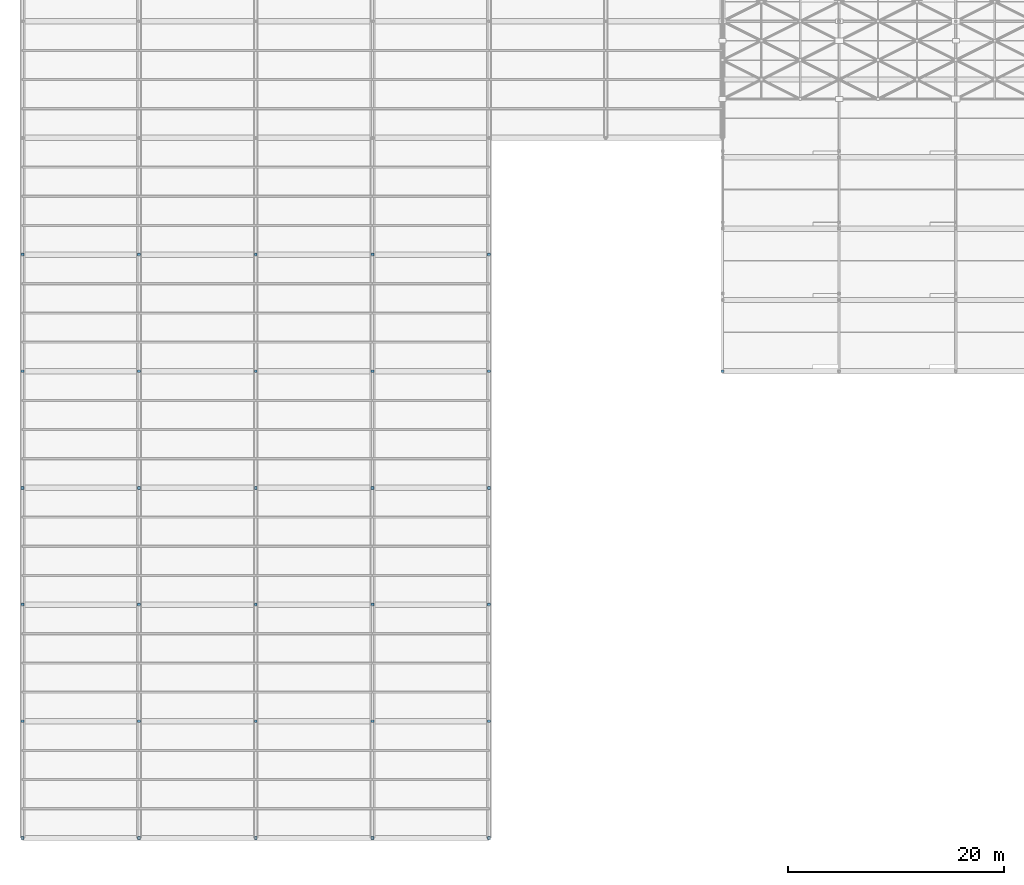
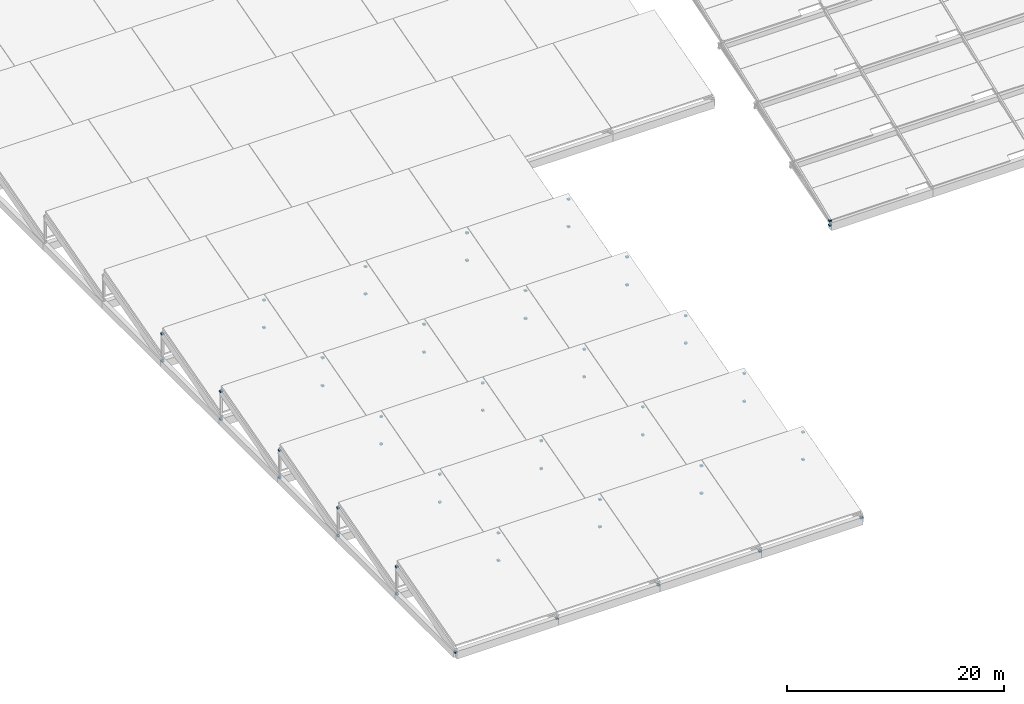
# One storey, part 105 of 112: 57 discrete accessories.
"""IFC4 building model written with IfcOpenShell, lengths in metres."""

from ifc_helpers import new_model, si_unit, direction, frame, origin, origin_2d, place, context, subcontext, project, spatial, rectangle, extrude, material, type_object, element, save


model = new_model("IFC4")

# Units and contexts
model_context = context("Model", 3, precision=1e-05, world=origin(), true_north=direction((0.0, 1.0)))
body_context = subcontext(model_context, "Body", "Model", "MODEL_VIEW")
ifc_project = project(units=[si_unit("LENGTHUNIT", "METRE"), si_unit("AREAUNIT", "SQUARE_METRE"), si_unit("VOLUMEUNIT", "CUBIC_METRE"), si_unit("PLANEANGLEUNIT", "RADIAN"), si_unit("MASSUNIT", "GRAM", prefix="KILO")], contexts=[model_context])

# Site, building, storey
site_placement = place(None, origin())
site = spatial("IfcSite", under=ifc_project, at=site_placement, CompositionType="ELEMENT")
building_placement = place(site_placement, origin())
building = spatial("IfcBuilding", under=site, at=building_placement, Name="Zwinboog Wholesale Market", CompositionType="ELEMENT")
storey_placement = place(building_placement, frame((0.0, 0.0, 19.080078125)))
storey = spatial("IfcBuildingStorey", under=building, at=storey_placement, Name="Roof", CompositionType="ELEMENT", Elevation=19.080078125)

# Discrete accessories
ifc_material = material(Name="Steel S355", Category="steel")
discrete_accessory_type = type_object("IfcDiscreteAccessoryType", Name="ACC-BRK-S355", PredefinedType="BRACKET", material=ifc_material)
for number, where, z_axis, x_axis, name in (
    (1, (64.800048828125, 43.199951171875, -10.10986328125), (0.0, 0.0, 1.0), (1.0, 0.0, 0.0), "BK-01 (ACC-BRC-0001)"),
    (2, (64.800048828125, 43.199951171875, -9.60986328125), (0.0, 0.0, 1.0), (1.0, 0.0, 0.0), "BK-01 (ACC-BRC-0002)"),
    (3, (0.0, 0.0, -9.2802734375), (0.0, 0.0, 1.0), (1.0, 0.0, 0.0), "BK-01 (ACC-BRC-0484)"),
    (4, (0.0, 10.800048828125, -9.2802734375), (0.0, 0.0, 1.0), (1.0, 0.0, 0.0), "BK-01 (ACC-BRC-0485)"),
    (5, (0.0, 10.800048828125, -6.20556640625), (0.0, 0.0, 1.0), (1.0, 0.0, 0.0), "BK-01 (ACC-BRC-0486)"),
    (6, (10.800048828125, 0.0, -9.2802734375), (0.0, 0.0, 1.0), (1.0, 0.0, 0.0), "BK-01 (ACC-BRC-0487)"),
    (7, (10.800048828125, 10.800048828125, -9.2802734375), (0.0, 0.0, 1.0), (1.0, 0.0, 0.0), "BK-01 (ACC-BRC-0488)"),
    (8, (10.800048828125, 10.800048828125, -6.193359375), (0.0, 0.0, 1.0), (1.0, 0.0, 0.0), "BK-01 (ACC-BRC-0489)"),
    (9, (21.60009765625, 0.0, -9.2802734375), (0.0, 0.0, 1.0), (1.0, 0.0, 0.0), "BK-01 (ACC-BRC-0490)"),
    (10, (21.60009765625, 10.800048828125, -9.2802734375), (0.0, 0.0, 1.0), (1.0, 0.0, 0.0), "BK-01 (ACC-BRC-0491)"),
    (11, (21.60009765625, 10.800048828125, -6.20556640625), (0.0, 0.0, 1.0), (1.0, 0.0, 0.0), "BK-01 (ACC-BRC-0492)"),
    (12, (32.39990234375, 0.0, -9.2802734375), (0.0, 0.0, 1.0), (1.0, 0.0, 0.0), "BK-01 (ACC-BRC-0493)"),
    (13, (32.39990234375, 10.800048828125, -9.2802734375), (0.0, 0.0, 1.0), (1.0, 0.0, 0.0), "BK-01 (ACC-BRC-0494)"),
    (14, (32.39990234375, 10.800048828125, -6.193359375), (0.0, 0.0, 1.0), (1.0, 0.0, 0.0), "BK-01 (ACC-BRC-0495)"),
    (15, (43.199951171875, 0.0, -9.2802734375), (0.0, 0.0, 1.0), (1.0, 0.0, 0.0), "BK-01 (ACC-BRC-0496)"),
    (16, (43.199951171875, 10.800048828125, -9.2802734375), (0.0, 0.0, 1.0), (1.0, 0.0, 0.0), "BK-01 (ACC-BRC-0497)"),
    (17, (43.199951171875, 10.800048828125, -6.193359375), (0.0, 0.0, 1.0), (1.0, 0.0, 0.0), "BK-01 (ACC-BRC-0498)"),
    (18, (0.0, 21.60009765625, -9.2802734375), (0.0, 0.0, 1.0), (1.0, 0.0, 0.0), "BK-01 (ACC-BRC-0499)"),
    (19, (0.0, 21.60009765625, -6.1455078125), (0.0, 0.0, 1.0), (1.0, 0.0, 0.0), "BK-01 (ACC-BRC-0500)"),
    (20, (10.800048828125, 21.60009765625, -9.2802734375), (0.0, 0.0, 1.0), (1.0, 0.0, 0.0), "BK-01 (ACC-BRC-0501)"),
    (21, (10.800048828125, 21.60009765625, -6.13330078125), (0.0, 0.0, 1.0), (1.0, 0.0, 0.0), "BK-01 (ACC-BRC-0502)"),
    (22, (21.60009765625, 21.60009765625, -9.2802734375), (0.0, 0.0, 1.0), (1.0, 0.0, 0.0), "BK-01 (ACC-BRC-0503)"),
    (23, (21.60009765625, 21.60009765625, -6.1455078125), (0.0, 0.0, 1.0), (1.0, 0.0, 0.0), "BK-01 (ACC-BRC-0504)"),
    (24, (32.39990234375, 21.60009765625, -9.2802734375), (0.0, 0.0, 1.0), (1.0, 0.0, 0.0), "BK-01 (ACC-BRC-0505)"),
    (25, (32.39990234375, 21.60009765625, -6.13330078125), (0.0, 0.0, 1.0), (1.0, 0.0, 0.0), "BK-01 (ACC-BRC-0506)"),
    (26, (43.199951171875, 21.60009765625, -9.2802734375), (0.0, 0.0, 1.0), (1.0, 0.0, 0.0), "BK-01 (ACC-BRC-0507)"),
    (27, (43.199951171875, 21.60009765625, -6.13330078125), (0.0, 0.0, 1.0), (1.0, 0.0, 0.0), "BK-01 (ACC-BRC-0508)"),
    (28, (0.0, 32.39990234375, -9.2802734375), (0.0, 0.0, 1.0), (1.0, 0.0, 0.0), "BK-01 (ACC-BRC-0509)"),
    (29, (0.0, 32.39990234375, -6.20556640625), (0.0, 0.0, 1.0), (1.0, 0.0, 0.0), "BK-01 (ACC-BRC-0510)"),
    (30, (10.800048828125, 32.39990234375, -9.2802734375), (0.0, 0.0, 1.0), (1.0, 0.0, 0.0), "BK-01 (ACC-BRC-0511)"),
    (31, (10.800048828125, 32.39990234375, -6.193359375), (0.0, 0.0, 1.0), (1.0, 0.0, 0.0), "BK-01 (ACC-BRC-0512)"),
    (32, (21.60009765625, 32.39990234375, -9.2802734375), (0.0, 0.0, 1.0), (1.0, 0.0, 0.0), "BK-01 (ACC-BRC-0513)"),
    (33, (21.60009765625, 32.39990234375, -6.20556640625), (0.0, 0.0, 1.0), (1.0, 0.0, 0.0), "BK-01 (ACC-BRC-0514)"),
    (34, (32.39990234375, 32.39990234375, -9.2802734375), (0.0, 0.0, 1.0), (1.0, 0.0, 0.0), "BK-01 (ACC-BRC-0515)"),
    (35, (32.39990234375, 32.39990234375, -6.193359375), (0.0, 0.0, 1.0), (1.0, 0.0, 0.0), "BK-01 (ACC-BRC-0516)"),
    (36, (43.199951171875, 32.39990234375, -9.2802734375), (0.0, 0.0, 1.0), (1.0, 0.0, 0.0), "BK-01 (ACC-BRC-0517)"),
    (37, (43.199951171875, 32.39990234375, -6.193359375), (0.0, 0.0, 1.0), (1.0, 0.0, 0.0), "BK-01 (ACC-BRC-0518)"),
    (38, (0.0, 43.199951171875, -9.2802734375), (0.0, 0.0, 1.0), (1.0, 0.0, 0.0), "BK-01 (ACC-BRC-0519)"),
    (39, (0.0, 43.199951171875, -6.1455078125), (0.0, 0.0, 1.0), (1.0, 0.0, 0.0), "BK-01 (ACC-BRC-0520)"),
    (40, (10.800048828125, 43.199951171875, -9.2802734375), (0.0, 0.0, 1.0), (1.0, 0.0, 0.0), "BK-01 (ACC-BRC-0521)"),
    (41, (10.800048828125, 43.199951171875, -6.13330078125), (0.0, 0.0, 1.0), (1.0, 0.0, 0.0), "BK-01 (ACC-BRC-0522)"),
    (42, (21.60009765625, 43.199951171875, -9.2802734375), (0.0, 0.0, 1.0), (1.0, 0.0, 0.0), "BK-01 (ACC-BRC-0523)"),
    (43, (21.60009765625, 43.199951171875, -6.1455078125), (0.0, 0.0, 1.0), (1.0, 0.0, 0.0), "BK-01 (ACC-BRC-0524)"),
    (44, (32.39990234375, 43.199951171875, -9.2802734375), (0.0, 0.0, 1.0), (1.0, 0.0, 0.0), "BK-01 (ACC-BRC-0525)"),
    (45, (32.39990234375, 43.199951171875, -6.13330078125), (0.0, 0.0, 1.0), (1.0, 0.0, 0.0), "BK-01 (ACC-BRC-0526)"),
    (46, (43.199951171875, 43.199951171875, -9.2802734375), (0.0, 0.0, 1.0), (1.0, 0.0, 0.0), "BK-01 (ACC-BRC-0527)"),
    (47, (43.199951171875, 43.199951171875, -6.13330078125), (0.0, 0.0, 1.0), (1.0, 0.0, 0.0), "BK-01 (ACC-BRC-0528)"),
    (48, (0.0, 54.0, -9.2802734375), (0.0, 0.0, 1.0), (1.0, 0.0, 0.0), "BK-01 (ACC-BRC-0529)"),
    (49, (0.0, 54.0, -6.20556640625), (0.0, 0.0, 1.0), (1.0, 0.0, 0.0), "BK-01 (ACC-BRC-0530)"),
    (50, (10.800048828125, 54.0, -9.2802734375), (0.0, 0.0, 1.0), (1.0, 0.0, 0.0), "BK-01 (ACC-BRC-0531)"),
    (51, (10.800048828125, 54.0, -6.193359375), (0.0, 0.0, 1.0), (1.0, 0.0, 0.0), "BK-01 (ACC-BRC-0532)"),
    (52, (21.60009765625, 54.0, -9.2802734375), (0.0, 0.0, 1.0), (1.0, 0.0, 0.0), "BK-01 (ACC-BRC-0533)"),
    (53, (21.60009765625, 54.0, -6.20556640625), (0.0, 0.0, 1.0), (1.0, 0.0, 0.0), "BK-01 (ACC-BRC-0534)"),
    (54, (32.39990234375, 54.0, -9.2802734375), (0.0, 0.0, 1.0), (1.0, 0.0, 0.0), "BK-01 (ACC-BRC-0535)"),
    (55, (32.39990234375, 54.0, -6.193359375), (0.0, 0.0, 1.0), (1.0, 0.0, 0.0), "BK-01 (ACC-BRC-0536)"),
    (56, (43.199951171875, 54.0, -9.2802734375), (0.0, 0.0, 1.0), (1.0, 0.0, 0.0), "BK-01 (ACC-BRC-0537)"),
    (57, (43.199951171875, 54.0, -6.193359375), (0.0, 0.0, 1.0), (1.0, 0.0, 0.0), "BK-01 (ACC-BRC-0538)"),
):
    element("IfcDiscreteAccessory", number, at=place(storey_placement, frame(where, z_axis=z_axis, x_axis=x_axis)), inside=storey, type_object=discrete_accessory_type, Name=name, PredefinedType="BRACKET", context=body_context, shape_type="SweptSolid", body=[
        extrude(rectangle(XDim=0.260009765625, YDim=0.260009765625, at=origin_2d()), origin(), (0.0, 0.0, 1.0), 0.159912109375),
    ])

save(model, "model.ifc")
